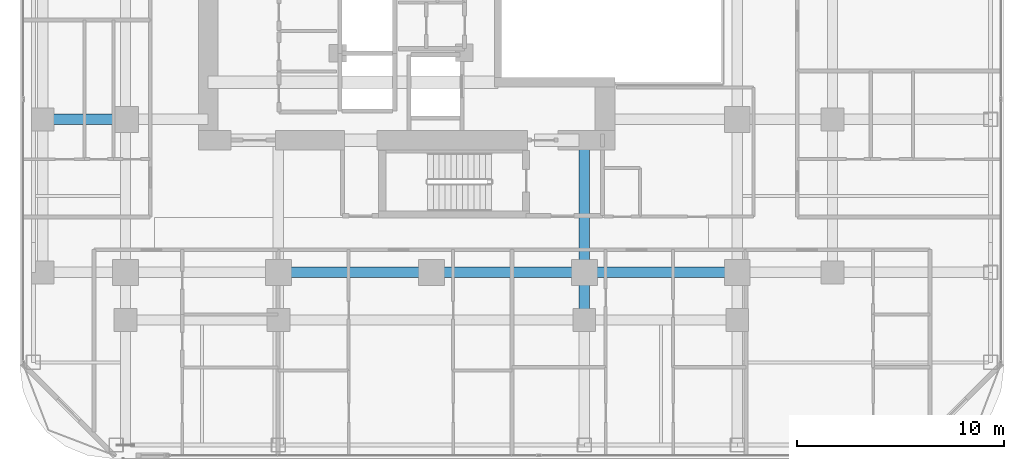
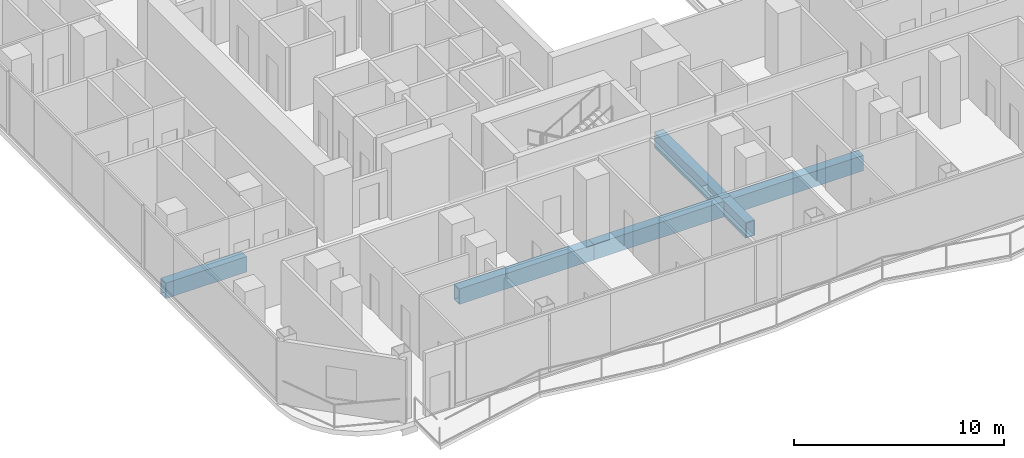
# One storey, part 5 of 29: 6 beams.
"""IFC4 building model written with IfcOpenShell, lengths in metres."""

from ifc_helpers import new_model, si_unit, direction, frame, origin, origin_2d, place, context, subcontext, project, spatial, hollow_rectangle, extrude, material, material_profile, profile_set, type_object, element, save


model = new_model("IFC4")

# Units and contexts
model_context = context("Model", 3, precision=1e-05, world=origin(), true_north=direction((0.0, 1.0)))
body_context = subcontext(model_context, "Body", "Model", "MODEL_VIEW")
ifc_project = project(units=[si_unit("LENGTHUNIT", "METRE"), si_unit("AREAUNIT", "SQUARE_METRE"), si_unit("VOLUMEUNIT", "CUBIC_METRE"), si_unit("PLANEANGLEUNIT", "RADIAN"), si_unit("MASSUNIT", "GRAM", prefix="KILO")], contexts=[model_context])

# Site, building, storey
site_placement = place(None, origin())
site = spatial("IfcSite", under=ifc_project, at=site_placement, CompositionType="ELEMENT")
building_placement = place(site_placement, origin())
building = spatial("IfcBuilding", under=site, at=building_placement, Name="Khorvyn Point Tower", CompositionType="ELEMENT")
storey_placement = place(building_placement, frame((0.0, 0.0, 136.800048828125)))
storey = spatial("IfcBuildingStorey", under=building, at=storey_placement, Name="L34", CompositionType="ELEMENT", Elevation=136.800048828125)

# Beams
ifc_material = material(Name="Steel S450", Category="steel")
ifc_material_profile = material_profile(ifc_material, hollow_rectangle(XDim=0.5, YDim=0.89990234375, WallThickness=0.0400390625, at=origin_2d()))
ifc_profile_set = profile_set([ifc_material_profile], Name="Steel S450 BOX900x500x40")
beam_type = type_object("IfcBeamType", Name="Steel S450 Beam BOX900x500x40", PredefinedType="BEAM", material=ifc_profile_set)
for number, where, z_axis, x_axis, name in (
    (1, (-7.39990234375, -14.800048828125, -0.72998046875), (1.0, 0.0, 0.0), (0.0, 1.0, 0.0), "L34 Radial Transfer Girder"),
    (2, (0.0, -14.800048828125, -0.72998046875), (1.0, 0.0, 0.0), (0.0, 1.0, 0.0), "L34 Radial Transfer Girder"),
):
    element("IfcBeam", number, at=place(storey_placement, frame(where, z_axis=z_axis, x_axis=x_axis)), inside=storey, type_object=beam_type, Name=name, PredefinedType="BEAM", context=body_context, shape_type="SweptSolid", body=[
        extrude(hollow_rectangle(XDim=0.5, YDim=0.89990234375, WallThickness=0.0400390625, at=origin_2d()), origin(), (0.0, 0.0, 1.0), 7.39990234375),
    ])
beam_1_placement = place(storey_placement, frame((7.39990234375, -14.800048828125, -0.72998046875), z_axis=(1.0, 0.0, 0.0), x_axis=(0.0, 1.0, 0.0)))
element("IfcBeam", 3, at=beam_1_placement, inside=storey, type_object=beam_type, Name="L34 Radial Transfer Girder", PredefinedType="BEAM", context=body_context, shape_type="SweptSolid", body=[
    extrude(hollow_rectangle(XDim=0.5, YDim=0.89990234375, WallThickness=0.0400390625, at=origin_2d()), origin(), (0.0, 0.0, 1.0), 7.400146484375),
])
beam_2_placement = place(storey_placement, frame((-19.25, -7.39990234375, -0.72998046875), z_axis=(1.0, 0.0, 0.0), x_axis=(0.0, 1.0, 0.0)))
element("IfcBeam", 4, at=beam_2_placement, inside=storey, type_object=beam_type, Name="Beam", PredefinedType="BEAM", context=body_context, shape_type="SweptSolid", body=[
    extrude(hollow_rectangle(XDim=0.5, YDim=0.89990234375, WallThickness=0.0400390625, at=origin_2d()), origin(), (0.0, 0.0, 1.0), 4.449951171875),
])
beam_3_placement = place(storey_placement, frame((7.39990234375, -17.10009765625, -0.72998046875), z_axis=(0.0, 1.0, 0.0), x_axis=(-1.0, 0.0, 0.0)))
element("IfcBeam", 5, at=beam_3_placement, inside=storey, type_object=beam_type, Name="Beam", PredefinedType="BEAM", context=body_context, shape_type="SweptSolid", body=[
    extrude(hollow_rectangle(XDim=0.5, YDim=0.89990234375, WallThickness=0.0400390625, at=origin_2d()), origin(), (0.0, 0.0, 1.0), 2.300048828125),
])
beam_4_placement = place(storey_placement, frame((7.39990234375, -14.800048828125, -0.72998046875), z_axis=(0.0, 1.0, 0.0), x_axis=(-1.0, 0.0, 0.0)))
element("IfcBeam", 6, at=beam_4_placement, inside=storey, type_object=beam_type, Name="Beam", PredefinedType="BEAM", context=body_context, shape_type="SweptSolid", body=[
    extrude(hollow_rectangle(XDim=0.5, YDim=0.89990234375, WallThickness=0.0400390625, at=origin_2d()), origin(), (0.0, 0.0, 1.0), 6.400146484375),
])

save(model, "model.ifc")
